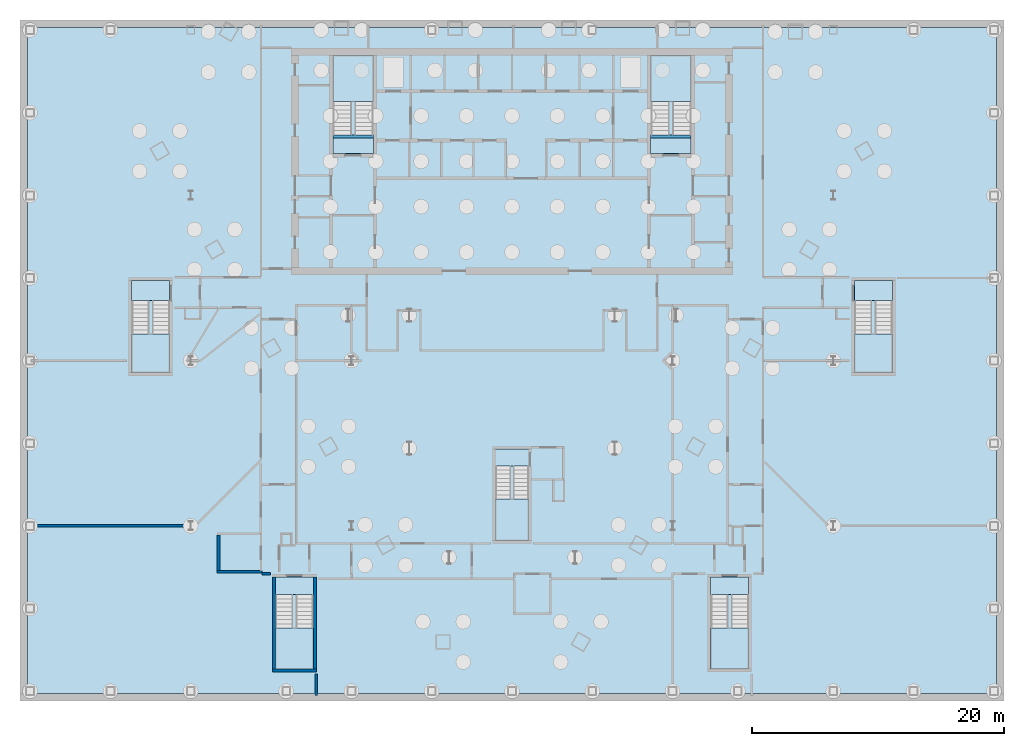
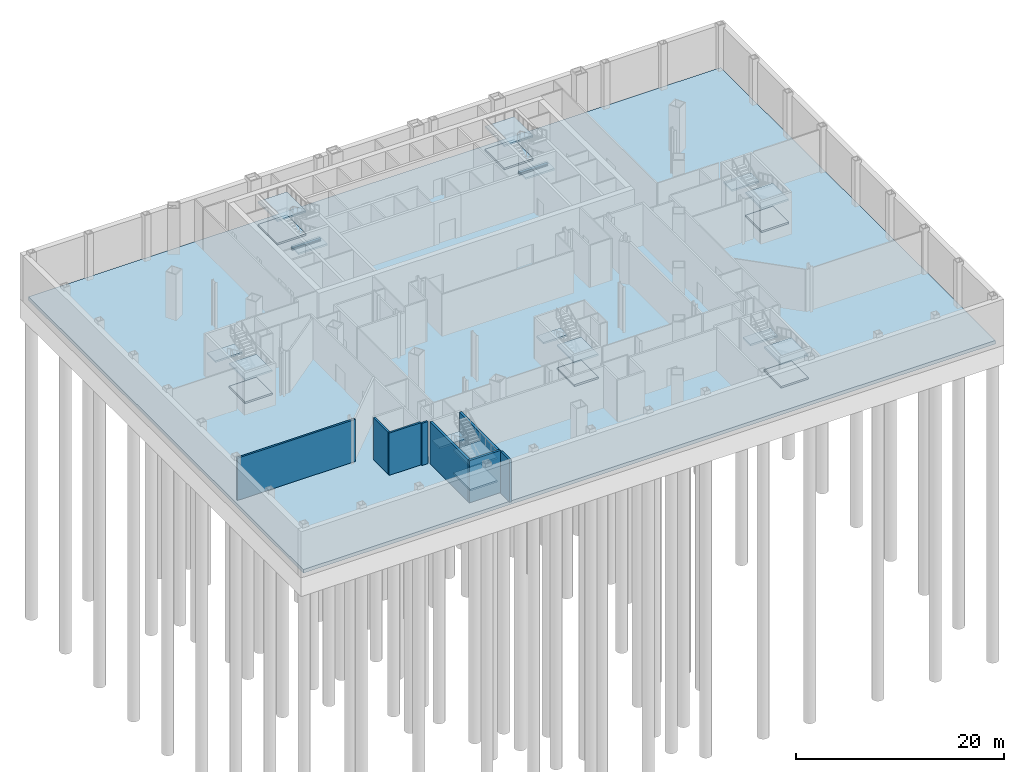
# One storey, part 5 of 19: 22 slabs, 8 walls, 2 beams, 7 elements without a shape of their own.
"""IFC4 building model written with IfcOpenShell, lengths in metres."""

from ifc_helpers import new_model, si_unit, direction, frame, frame_2d, origin, origin_2d, place, context, subcontext, project, spatial, polyline, rectangle, i_section, outline, extrude, material, layer, layer_set, material_profile, profile_set, type_object, element, aggregate, save


model = new_model("IFC4")

# Units and contexts
model_context = context("Model", 3, precision=1e-05, world=origin(), true_north=direction((0.0, 1.0)))
body_context = subcontext(model_context, "Body", "Model", "MODEL_VIEW")
ifc_project = project(units=[si_unit("LENGTHUNIT", "METRE"), si_unit("AREAUNIT", "SQUARE_METRE"), si_unit("VOLUMEUNIT", "CUBIC_METRE"), si_unit("PLANEANGLEUNIT", "RADIAN"), si_unit("MASSUNIT", "GRAM", prefix="KILO")], contexts=[model_context])

# Site, building, storey
site_placement = place(None, origin())
site = spatial("IfcSite", under=ifc_project, at=site_placement, CompositionType="ELEMENT")
building_placement = place(site_placement, origin())
building = spatial("IfcBuilding", under=site, at=building_placement, Name="Njiva Tower", CompositionType="ELEMENT")
storey_placement = place(building_placement, frame((0.0, 0.0, -16.8)))
storey = spatial("IfcBuildingStorey", under=building, at=storey_placement, Name="B3", CompositionType="ELEMENT", Elevation=-16.8)

# Beams
ifc_material_1 = material(Name="Steel S355 J2", Category="steel")
ifc_material_profile = material_profile(ifc_material_1, i_section(OverallWidth=0.24, OverallDepth=0.23, WebThickness=0.0075, FlangeThickness=0.012, at=origin_2d()), Name="HEA240")
ifc_profile_set = profile_set([ifc_material_profile], Name="Steel S355 J2")
beam_type = type_object("IfcBeamType", Name="FL8 Landing beam HEA 240", PredefinedType="BEAM", material=ifc_profile_set)
for number, where, z_axis, x_axis, name in (
    (1, (-14.206, 10.98, 2.385), (1.0, 0.0, 0.0), (0.0, 1.0, 0.0), "Landing beam"),
    (2, (10.994, 10.98, 2.385), (1.0, 0.0, 0.0), (0.0, 1.0, 0.0), "Landing beam"),
):
    element("IfcBeam", number, at=place(storey_placement, frame(where, z_axis=z_axis, x_axis=x_axis)), inside=storey, type_object=beam_type, Name=name, PredefinedType="BEAM", context=body_context, shape_type="SweptSolid", body=[
        extrude(i_section(OverallWidth=0.24, OverallDepth=0.23, WebThickness=0.0075, FlangeThickness=0.012, at=origin_2d()), origin(), (0.0, 0.0, 1.0), 3.212),
    ])

# Stair, slabs
ifc_material_2 = material(Name="Concrete C40/50", Category="concrete")
stair_type_1 = type_object("IfcStairType", Name="ST4 Exit stair 1500", PredefinedType="HALF_TURN_STAIR", material=ifc_material_2)
stair_1_placement = place(storey_placement, origin())
stair_1 = element("IfcStair", 3, at=stair_1_placement, inside=storey, type_object=stair_type_1, Name="Stair A basement", PredefinedType="DOUBLE_RETURN_STAIR")
ifc_layer_1 = layer(ifc_material_2, 0.2)
ifc_layer_set_1 = layer_set([ifc_layer_1], Name="Concrete C40/50")
slab_type_1 = type_object("IfcSlabType", Name="FL9 Stair landing 200", PredefinedType="LANDING", material=ifc_layer_set_1)
slab_1_placement = place(storey_placement, frame((0.0, 0.0, 1.15)))
slab_1 = element("IfcSlab", 4, at=slab_1_placement, type_object=slab_type_1, Name="ST-AB landing 1", PredefinedType="LANDING", context=body_context, shape_type="SweptSolid", body=[
    extrude(outline(polyline([(-14.206, 13.74), (-10.994, 13.74), (-10.994, 17.4), (-14.206, 17.4), (-14.206, 13.74)])), origin(), (0.0, 0.0, 1.0), 0.2),
])
slab_2_placement = place(storey_placement, frame((0.0, 0.0, 2.5)))
slab_2 = element("IfcSlab", 5, at=slab_2_placement, type_object=slab_type_1, Name="ST-AB landing 2", PredefinedType="LANDING", context=body_context, shape_type="SweptSolid", body=[
    extrude(outline(polyline([(-14.206, 9.6), (-10.994, 9.6), (-10.994, 11.1), (-14.206, 11.1), (-14.206, 9.6)])), origin(), (0.0, 0.0, 1.0), 0.2),
])
slab_3_placement = place(storey_placement, frame((0.0, 0.0, 3.85)))
slab_3 = element("IfcSlab", 6, at=slab_3_placement, type_object=slab_type_1, Name="ST-AB landing 3", PredefinedType="LANDING", context=body_context, shape_type="SweptSolid", body=[
    extrude(outline(polyline([(-14.206, 13.74), (-10.994, 13.74), (-10.994, 17.4), (-14.206, 17.4), (-14.206, 13.74)])), origin(), (0.0, 0.0, 1.0), 0.2),
])
aggregate(stair_1, [slab_1, slab_2, slab_3])

stair_2_placement = place(storey_placement, origin())
stair_2 = element("IfcStair", 7, at=stair_2_placement, inside=storey, type_object=stair_type_1, Name="Stair B basement", PredefinedType="DOUBLE_RETURN_STAIR")
slab_4_placement = place(storey_placement, frame((0.0, 0.0, 1.15)))
slab_4 = element("IfcSlab", 8, at=slab_4_placement, type_object=slab_type_1, Name="ST-BB landing 1", PredefinedType="LANDING", context=body_context, shape_type="SweptSolid", body=[
    extrude(outline(polyline([(10.994, 13.74), (14.206, 13.74), (14.206, 17.4), (10.994, 17.4), (10.994, 13.74)])), origin(), (0.0, 0.0, 1.0), 0.2),
])
slab_5_placement = place(storey_placement, frame((0.0, 0.0, 2.5)))
slab_5 = element("IfcSlab", 9, at=slab_5_placement, type_object=slab_type_1, Name="ST-BB landing 2", PredefinedType="LANDING", context=body_context, shape_type="SweptSolid", body=[
    extrude(outline(polyline([(10.994, 9.6), (14.206, 9.6), (14.206, 11.1), (10.994, 11.1), (10.994, 9.6)])), origin(), (0.0, 0.0, 1.0), 0.2),
])
slab_6_placement = place(storey_placement, frame((0.0, 0.0, 3.85)))
slab_6 = element("IfcSlab", 10, at=slab_6_placement, type_object=slab_type_1, Name="ST-BB landing 3", PredefinedType="LANDING", context=body_context, shape_type="SweptSolid", body=[
    extrude(outline(polyline([(10.994, 13.74), (14.206, 13.74), (14.206, 17.4), (10.994, 17.4), (10.994, 13.74)])), origin(), (0.0, 0.0, 1.0), 0.2),
])
aggregate(stair_2, [slab_4, slab_5, slab_6])

stair_type_2 = type_object("IfcStairType", Name="ST1 Exit stair 1250", PredefinedType="HALF_TURN_STAIR", material=ifc_material_2)
stair_3_placement = place(storey_placement, origin())
stair_3 = element("IfcStair", 11, at=stair_3_placement, inside=storey, type_object=stair_type_2, Name="Stair C basement", PredefinedType="DOUBLE_RETURN_STAIR")
slab_7_placement = place(storey_placement, frame((0.0, 0.0, 1.15)))
slab_7 = element("IfcSlab", 12, at=slab_7_placement, type_object=slab_type_1, Name="ST-CB landing 1", PredefinedType="LANDING", context=body_context, shape_type="SweptSolid", body=[
    extrude(outline(polyline([(-1.331, -21.075), (1.331, -21.075), (1.331, -17.775), (-1.331, -17.775), (-1.331, -21.075)])), origin(), (0.0, 0.0, 1.0), 0.2),
])
slab_8_placement = place(storey_placement, frame((0.0, 0.0, 2.5)))
slab_8 = element("IfcSlab", 13, at=slab_8_placement, type_object=slab_type_1, Name="ST-CB landing 2", PredefinedType="LANDING", context=body_context, shape_type="SweptSolid", body=[
    extrude(outline(polyline([(-1.331, -15.135), (1.331, -15.135), (1.331, -13.825), (-1.331, -13.825), (-1.331, -15.135)])), origin(), (0.0, 0.0, 1.0), 0.2),
])
slab_9_placement = place(storey_placement, frame((0.0, 0.0, 3.85)))
slab_9 = element("IfcSlab", 14, at=slab_9_placement, type_object=slab_type_1, Name="ST-CB landing 3", PredefinedType="LANDING", context=body_context, shape_type="SweptSolid", body=[
    extrude(outline(polyline([(-1.331, -21.075), (1.331, -21.075), (1.331, -17.775), (-1.331, -17.775), (-1.331, -21.075)])), origin(), (0.0, 0.0, 1.0), 0.2),
])
aggregate(stair_3, [slab_7, slab_8, slab_9])

stair_type_3 = type_object("IfcStairType", Name="ST2 Exit stair 1400", PredefinedType="HALF_TURN_STAIR", material=ifc_material_2)
stair_4_placement = place(storey_placement, origin())
stair_4 = element("IfcStair", 15, at=stair_4_placement, inside=storey, type_object=stair_type_3, Name="Stair D basement", PredefinedType="DOUBLE_RETURN_STAIR")
slab_10_placement = place(storey_placement, frame((0.0, 0.0, 1.15)))
slab_10 = element("IfcSlab", 16, at=slab_10_placement, type_object=slab_type_1, Name="ST-DB landing 1", PredefinedType="LANDING", context=body_context, shape_type="SweptSolid", body=[
    extrude(outline(polyline([(-18.756, -31.25), (-15.744, -31.25), (-15.744, -27.99), (-18.756, -27.99), (-18.756, -31.25)])), origin(), (0.0, 0.0, 1.0), 0.2),
])
slab_11_placement = place(storey_placement, frame((0.0, 0.0, 2.5)))
slab_11 = element("IfcSlab", 17, at=slab_11_placement, type_object=slab_type_1, Name="ST-DB landing 2", PredefinedType="LANDING", context=body_context, shape_type="SweptSolid", body=[
    extrude(outline(polyline([(-18.756, -25.35), (-15.744, -25.35), (-15.744, -23.95), (-18.756, -23.95), (-18.756, -25.35)])), origin(), (0.0, 0.0, 1.0), 0.2),
])
slab_12_placement = place(storey_placement, frame((0.0, 0.0, 3.85)))
slab_12 = element("IfcSlab", 18, at=slab_12_placement, type_object=slab_type_1, Name="ST-DB landing 3", PredefinedType="LANDING", context=body_context, shape_type="SweptSolid", body=[
    extrude(outline(polyline([(-18.756, -31.25), (-15.744, -31.25), (-15.744, -27.99), (-18.756, -27.99), (-18.756, -31.25)])), origin(), (0.0, 0.0, 1.0), 0.2),
])
aggregate(stair_4, [slab_10, slab_11, slab_12])

stair_5_placement = place(storey_placement, origin())
stair_5 = element("IfcStair", 19, at=stair_5_placement, inside=storey, type_object=stair_type_3, Name="Stair E basement", PredefinedType="DOUBLE_RETURN_STAIR")
slab_13_placement = place(storey_placement, frame((0.0, 0.0, 1.15)))
slab_13 = element("IfcSlab", 20, at=slab_13_placement, type_object=slab_type_1, Name="ST-EB landing 1", PredefinedType="LANDING", context=body_context, shape_type="SweptSolid", body=[
    extrude(outline(polyline([(15.744, -31.25), (18.756, -31.25), (18.756, -27.99), (15.744, -27.99), (15.744, -31.25)])), origin(), (0.0, 0.0, 1.0), 0.2),
])
slab_14_placement = place(storey_placement, frame((0.0, 0.0, 2.5)))
slab_14 = element("IfcSlab", 21, at=slab_14_placement, type_object=slab_type_1, Name="ST-EB landing 2", PredefinedType="LANDING", context=body_context, shape_type="SweptSolid", body=[
    extrude(outline(polyline([(15.744, -25.35), (18.756, -25.35), (18.756, -23.95), (15.744, -23.95), (15.744, -25.35)])), origin(), (0.0, 0.0, 1.0), 0.2),
])
slab_15_placement = place(storey_placement, frame((0.0, 0.0, 3.85)))
slab_15 = element("IfcSlab", 22, at=slab_15_placement, type_object=slab_type_1, Name="ST-EB landing 3", PredefinedType="LANDING", context=body_context, shape_type="SweptSolid", body=[
    extrude(outline(polyline([(15.744, -31.25), (18.756, -31.25), (18.756, -27.99), (15.744, -27.99), (15.744, -31.25)])), origin(), (0.0, 0.0, 1.0), 0.2),
])
aggregate(stair_5, [slab_13, slab_14, slab_15])

stair_6_placement = place(storey_placement, origin())
stair_6 = element("IfcStair", 23, at=stair_6_placement, inside=storey, type_object=stair_type_3, Name="Stair F basement", PredefinedType="DOUBLE_RETURN_STAIR")
slab_16_placement = place(storey_placement, frame((0.0, 0.0, 1.15)))
slab_16 = element("IfcSlab", 24, at=slab_16_placement, type_object=slab_type_1, Name="ST-FB landing 1", PredefinedType="LANDING", context=body_context, shape_type="SweptSolid", body=[
    extrude(outline(polyline([(-30.156, -7.75), (-27.144, -7.75), (-27.144, -4.69), (-30.156, -4.69), (-30.156, -7.75)])), origin(), (0.0, 0.0, 1.0), 0.2),
])
slab_17_placement = place(storey_placement, frame((0.0, 0.0, 2.5)))
slab_17 = element("IfcSlab", 25, at=slab_17_placement, type_object=slab_type_1, Name="ST-FB landing 2", PredefinedType="LANDING", context=body_context, shape_type="SweptSolid", body=[
    extrude(outline(polyline([(-30.156, -2.05), (-27.144, -2.05), (-27.144, -0.45), (-30.156, -0.45), (-30.156, -2.05)])), origin(), (0.0, 0.0, 1.0), 0.2),
])
slab_18_placement = place(storey_placement, frame((0.0, 0.0, 3.85)))
slab_18 = element("IfcSlab", 26, at=slab_18_placement, type_object=slab_type_1, Name="ST-FB landing 3", PredefinedType="LANDING", context=body_context, shape_type="SweptSolid", body=[
    extrude(outline(polyline([(-30.156, -7.75), (-27.144, -7.75), (-27.144, -4.69), (-30.156, -4.69), (-30.156, -7.75)])), origin(), (0.0, 0.0, 1.0), 0.2),
])
aggregate(stair_6, [slab_16, slab_17, slab_18])

stair_7_placement = place(storey_placement, origin())
stair_7 = element("IfcStair", 27, at=stair_7_placement, inside=storey, type_object=stair_type_3, Name="Stair G basement", PredefinedType="DOUBLE_RETURN_STAIR")
slab_19_placement = place(storey_placement, frame((0.0, 0.0, 1.15)))
slab_19 = element("IfcSlab", 28, at=slab_19_placement, type_object=slab_type_1, Name="ST-GB landing 1", PredefinedType="LANDING", context=body_context, shape_type="SweptSolid", body=[
    extrude(outline(polyline([(27.144, -7.75), (30.156, -7.75), (30.156, -4.69), (27.144, -4.69), (27.144, -7.75)])), origin(), (0.0, 0.0, 1.0), 0.2),
])
slab_20_placement = place(storey_placement, frame((0.0, 0.0, 2.5)))
slab_20 = element("IfcSlab", 29, at=slab_20_placement, type_object=slab_type_1, Name="ST-GB landing 2", PredefinedType="LANDING", context=body_context, shape_type="SweptSolid", body=[
    extrude(outline(polyline([(27.144, -2.05), (30.156, -2.05), (30.156, -0.45), (27.144, -0.45), (27.144, -2.05)])), origin(), (0.0, 0.0, 1.0), 0.2),
])
slab_21_placement = place(storey_placement, frame((0.0, 0.0, 3.85)))
slab_21 = element("IfcSlab", 30, at=slab_21_placement, type_object=slab_type_1, Name="ST-GB landing 3", PredefinedType="LANDING", context=body_context, shape_type="SweptSolid", body=[
    extrude(outline(polyline([(27.144, -7.75), (30.156, -7.75), (30.156, -4.69), (27.144, -4.69), (27.144, -7.75)])), origin(), (0.0, 0.0, 1.0), 0.2),
])
aggregate(stair_7, [slab_19, slab_20, slab_21])

# Slab
ifc_layer_2 = layer(ifc_material_2, 0.4)
ifc_layer_set_2 = layer_set([ifc_layer_2], Name="Concrete C40/50")
slab_type_2 = type_object("IfcSlabType", Name="SL10 Base slab 400", PredefinedType="BASESLAB", material=ifc_layer_set_2)
slab_22_placement = place(storey_placement, frame((0.0, 0.0, -0.4)))
element("IfcSlab", 31, at=slab_22_placement, inside=storey, type_object=slab_type_2, Name="Base slab", PredefinedType="BASESLAB", context=body_context, shape_type="SweptSolid", body=[
    extrude(outline(polyline([(38.4, -33.2), (38.4, 19.6), (-38.4, 19.6), (-38.4, -33.2), (38.4, -33.2)])), origin(), (0.0, 0.0, 1.0), 0.4),
])

# Walls
ifc_material_3 = material(Name="Blockwork", Category="masonry")
ifc_layer_3 = layer(ifc_material_3, 0.2)
ifc_layer_set_3 = layer_set([ifc_layer_3], Name="Blockwork")
wall_type_1 = type_object("IfcWallType", Name="WT22 Plant room wall 200", PredefinedType="PARTITIONING", material=ifc_layer_set_3)
wall_1_placement = place(storey_placement, frame((-38.1, -19.9, 0.0), z_axis=(0.0, 0.0, 1.0), x_axis=(1.0, 0.0, 0.0)))
element("IfcWall", 32, at=wall_1_placement, inside=storey, type_object=wall_type_1, Name="Partition B3-P001", PredefinedType="PARTITIONING", context=body_context, shape_type="SweptSolid", body=[
    extrude(rectangle(XDim=13.098, YDim=0.2, at=frame_2d((6.549, 0.0))), origin(), (0.0, 0.0, 1.0), 4.95),
])
wall_2_placement = place(storey_placement, frame((-23.366, -23.55, 0.0), z_axis=(0.0, 0.0, 1.0), x_axis=(1.0, 0.0, 0.0)))
element("IfcWall", 33, at=wall_2_placement, inside=storey, type_object=wall_type_1, Name="Partition B3-P015", PredefinedType="PARTITIONING", context=body_context, shape_type="SweptSolid", body=[
    extrude(rectangle(XDim=3.541, YDim=0.2, at=frame_2d((1.7705, 0.0))), origin(), (0.0, 0.0, 1.0), 4.95),
])
wall_3_placement = place(storey_placement, frame((-23.266, -23.45, 0.0), z_axis=(0.0, 0.0, 1.0), x_axis=(0.0, 1.0, 0.0)))
element("IfcWall", 34, at=wall_3_placement, inside=storey, type_object=wall_type_1, Name="Partition B3-P017", PredefinedType="PARTITIONING", context=body_context, shape_type="SweptSolid", body=[
    extrude(rectangle(XDim=2.83, YDim=0.2, at=frame_2d((1.415, 0.0))), origin(), (0.0, 0.0, 1.0), 4.95),
])
wall_4_placement = place(storey_placement, frame((-19.825, -23.7, 0.0), z_axis=(0.0, 0.0, 1.0), x_axis=(1.0, 0.0, 0.0)))
element("IfcWall", 35, at=wall_4_placement, inside=storey, type_object=wall_type_1, Name="Partition B3-P028", PredefinedType="PARTITIONING", context=body_context, shape_type="SweptSolid", body=[
    extrude(rectangle(XDim=0.675, YDim=0.2, at=frame_2d((0.3375, 0.0))), origin(), (0.0, 0.0, 1.0), 4.95),
])
wall_5_placement = place(storey_placement, frame((-15.5, -33.35, 0.0), z_axis=(0.0, 0.0, 1.0), x_axis=(0.0, 1.0, 0.0)))
element("IfcWall", 36, at=wall_5_placement, inside=storey, type_object=wall_type_1, Name="Partition B3-P045", PredefinedType="PARTITIONING", context=body_context, shape_type="SweptSolid", body=[
    extrude(rectangle(XDim=1.7, YDim=0.2, at=frame_2d((0.85, 0.0))), origin(), (0.0, 0.0, 1.0), 4.95),
])
ifc_layer_4 = layer(ifc_material_2, 0.25)
ifc_layer_set_4 = layer_set([ifc_layer_4], Name="Concrete C40/50")
wall_type_2 = type_object("IfcWallType", Name="WT9 Stair enclosure wall 250", PredefinedType="SHEAR", material=ifc_layer_set_4)
for number, where, z_axis, x_axis, name in (
    (37, (-18.875, -31.25, 0.0), (0.0, 0.0, 1.0), (0.0, 1.0, 0.0), "Stair D wall west"),
    (38, (-15.625, -31.25, 0.0), (0.0, 0.0, 1.0), (0.0, 1.0, 0.0), "Stair D wall east"),
):
    element("IfcWall", number, at=place(storey_placement, frame(where, z_axis=z_axis, x_axis=x_axis)), inside=storey, type_object=wall_type_2, Name=name, PredefinedType="SHEAR", context=body_context, shape_type="SweptSolid", body=[
        extrude(rectangle(XDim=7.3, YDim=0.25, at=frame_2d((3.65, 0.0))), origin(), (0.0, 0.0, 1.0), 4.95),
    ])
wall_6_placement = place(storey_placement, frame((-19.0, -31.375, 0.0), z_axis=(0.0, 0.0, 1.0), x_axis=(1.0, 0.0, 0.0)))
element("IfcWall", 39, at=wall_6_placement, inside=storey, type_object=wall_type_2, Name="Stair D wall south", PredefinedType="SHEAR", context=body_context, shape_type="SweptSolid", body=[
    extrude(rectangle(XDim=3.5, YDim=0.25, at=frame_2d((1.75, 0.0))), origin(), (0.0, 0.0, 1.0), 4.95),
])

save(model, "model.ifc")
